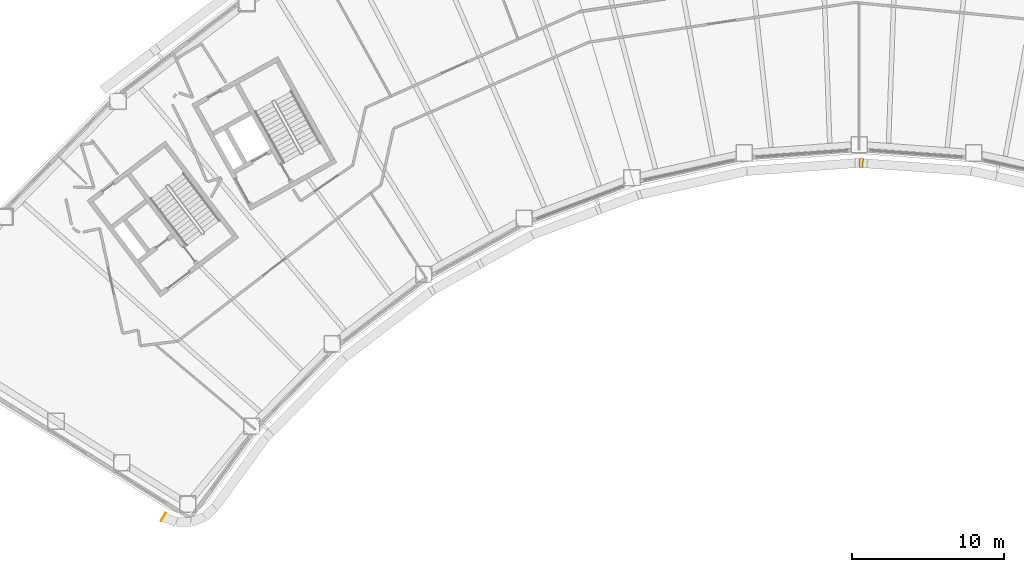
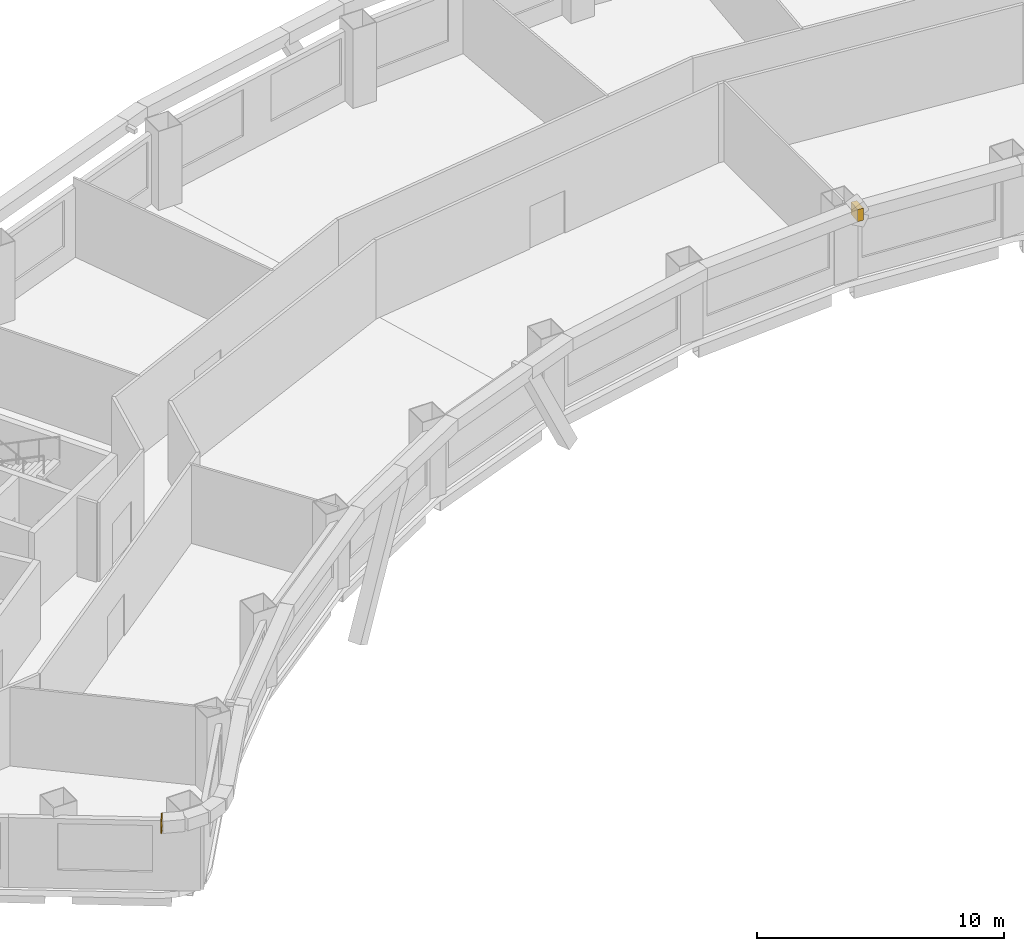
# One storey, part 13 of 13: 2 coverings.
"""IFC4 building model written with IfcOpenShell, lengths in metres."""

from ifc_helpers import new_model, si_unit, direction, frame, origin, origin_2d, place, context, subcontext, project, spatial, rectangle, extrude, material, material_profile, profile_set, type_object, element, save


model = new_model("IFC4")

# Units and contexts
model_context = context("Model", 3, precision=1e-05, world=origin(), true_north=direction((0.0, 1.0)))
body_context = subcontext(model_context, "Body", "Model", "MODEL_VIEW")
ifc_project = project(units=[si_unit("LENGTHUNIT", "METRE"), si_unit("AREAUNIT", "SQUARE_METRE"), si_unit("VOLUMEUNIT", "CUBIC_METRE"), si_unit("PLANEANGLEUNIT", "RADIAN"), si_unit("MASSUNIT", "GRAM", prefix="KILO")], contexts=[model_context])

# Site, building, storey
site_placement = place(None, origin())
site = spatial("IfcSite", under=ifc_project, at=site_placement, CompositionType="ELEMENT")
building_placement = place(site_placement, origin())
building = spatial("IfcBuilding", under=site, at=building_placement, Name="Tuul Gate Civic Tower", CompositionType="ELEMENT")
storey_placement = place(building_placement, frame((0.0, 0.0, 111.89990234375)))
storey = spatial("IfcBuildingStorey", under=building, at=storey_placement, Name="Level 25", CompositionType="ELEMENT", Elevation=111.89990234375)

# Coverings
ifc_material = material(Name="Terracotta baguette", Category="masonry")
ifc_material_profile = material_profile(ifc_material, rectangle(XDim=0.60009765625, YDim=0.60009765625, at=origin_2d()), Name="Terracotta baguette screen frame")
ifc_profile_set = profile_set([ifc_material_profile], Name="Terracotta baguette")
covering_type = type_object("IfcCoveringType", Name="Terracotta baguette screen frame", PredefinedType="CLADDING", material=ifc_profile_set)
covering_1_placement = place(storey_placement, frame((-36.099853515625, -32.2197265625, 3.85009765625), z_axis=(0.848261487435, -0.529577613702, 0.0), x_axis=(0.529577613702, 0.848261487435, 0.0)))
element("IfcCovering", 1, at=covering_1_placement, inside=storey, type_object=covering_type, Name="Baguette 164", PredefinedType="CLADDING", context=body_context, shape_type="SweptSolid", body=[
    extrude(rectangle(XDim=0.60009765625, YDim=0.60009765625, at=origin_2d()), origin(), (0.0, 0.0, 1.0), 0.052001953125),
])
covering_2_placement = place(storey_placement, frame((9.8291015625, -8.873046875, 3.85009765625), z_axis=(0.997439807738, -0.071511047668, 0.0), x_axis=(0.071511047668, 0.997439807738, 0.0)))
element("IfcCovering", 2, at=covering_2_placement, inside=storey, type_object=covering_type, Name="Baguette 353", PredefinedType="CLADDING", context=body_context, shape_type="SweptSolid", body=[
    extrude(rectangle(XDim=0.60009765625, YDim=0.60009765625, at=origin_2d()), origin(), (0.0, 0.0, 1.0), 0.262939453125),
])

save(model, "model.ifc")
